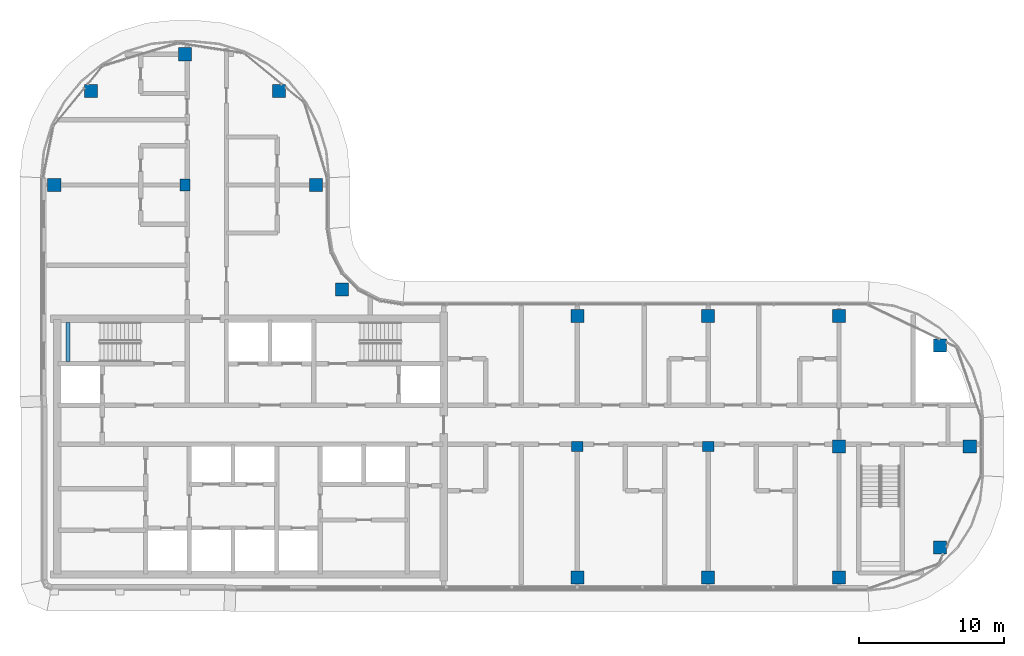
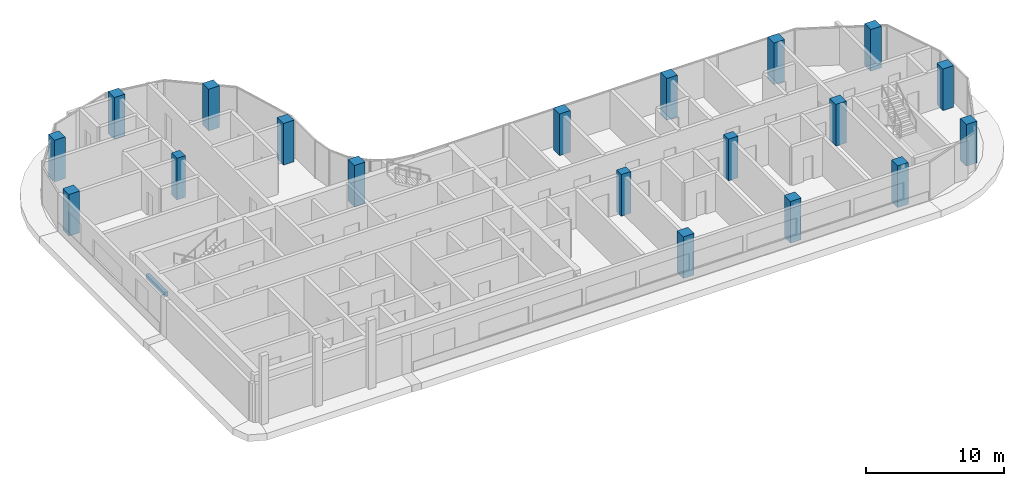
# One storey, part 1 of 22: 19 columns, 1 beam.
"""IFC4 building model written with IfcOpenShell, lengths in metres."""

from ifc_helpers import new_model, si_unit, direction, frame, origin, origin_2d, place, context, subcontext, project, spatial, rectangle, extrude, material, material_profile, profile_set, type_object, element, save


model = new_model("IFC4")

# Units and contexts
model_context = context("Model", 3, precision=1e-05, world=origin(), true_north=direction((0.0, 1.0)))
body_context = subcontext(model_context, "Body", "Model", "MODEL_VIEW")
ifc_project = project(units=[si_unit("LENGTHUNIT", "METRE"), si_unit("AREAUNIT", "SQUARE_METRE"), si_unit("VOLUMEUNIT", "CUBIC_METRE"), si_unit("PLANEANGLEUNIT", "RADIAN"), si_unit("MASSUNIT", "GRAM", prefix="KILO")], contexts=[model_context])

# Site, building, storey
site_placement = place(None, origin())
site = spatial("IfcSite", under=ifc_project, at=site_placement, CompositionType="ELEMENT")
building_placement = place(site_placement, origin())
building = spatial("IfcBuilding", under=site, at=building_placement, Name="Ogive Portal Towers", CompositionType="ELEMENT")
storey_placement = place(building_placement, frame((0.0, 0.0, 206.89990234375)))
storey = spatial("IfcBuildingStorey", under=building, at=storey_placement, Name="L51", CompositionType="ELEMENT", Elevation=206.89990234375)

# Columns
ifc_material_1 = material(Name="Concrete C60/75", Category="concrete")
ifc_material_profile_1 = material_profile(ifc_material_1, rectangle(XDim=0.800048828125, YDim=0.699951171875, at=origin_2d()), Name="RC 800x700")
ifc_profile_set_1 = profile_set([ifc_material_profile_1], Name="Concrete C60/75")
column_type_1 = type_object("IfcColumnType", Name="COLUMN RC 800x700", PredefinedType="COLUMN", material=ifc_profile_set_1)
for number, where, z_axis, x_axis, name in (
    (1, (67.5, 30.5, 0.0), (0.0, 0.0, 1.0), (1.0, 0.0, 0.0), "Column 5/B L51"),
    (2, (76.5, 30.5, 0.0), (0.0, 0.0, 1.0), (1.0, 0.0, 0.0), "Column 6/B L51"),
    (3, (40.5, 48.5, 0.0), (0.0, 0.0, 1.0), (0.0, 1.0, 0.0), "Column 2/D L51"),
):
    element("IfcColumn", number, at=place(storey_placement, frame(where, z_axis=z_axis, x_axis=x_axis)), inside=storey, type_object=column_type_1, Name=name, PredefinedType="COLUMN", context=body_context, shape_type="SweptSolid", body=[
        extrude(rectangle(XDim=0.800048828125, YDim=0.699951171875, at=origin_2d()), origin(), (0.0, 0.0, 1.0), 3.7001953125),
    ])
ifc_material_profile_2 = material_profile(ifc_material_1, rectangle(XDim=0.89990234375, YDim=0.89990234375, at=origin_2d()), Name="RC 900x900")
ifc_profile_set_2 = profile_set([ifc_material_profile_2], Name="Concrete C60/75")
column_type_2 = type_object("IfcColumnType", Name="COLUMN RC 900x900", PredefinedType="COLUMN", material=ifc_profile_set_2)
for number, where, z_axis, x_axis, name in (
    (4, (67.5, 21.5, 0.0), (0.0, 0.0, 1.0), (1.0, 0.0, 0.0), "Column 5/A L51"),
    (5, (76.5, 21.5, 0.0), (0.0, 0.0, 1.0), (1.0, 0.0, 0.0), "Column 6/A L51"),
    (6, (85.5, 21.5, 0.0), (0.0, 0.0, 1.0), (1.0, 0.0, 0.0), "Column 7/A L51"),
    (7, (92.449951171875, 23.550048828125, 0.0), (0.0, 0.0, 1.0), (1.0, 0.0, 0.0), "Column L51"),
    (8, (85.5, 30.5, 0.0), (0.0, 0.0, 1.0), (1.0, 0.0, 0.0), "Column 7/B L51"),
    (9, (94.5, 30.5, 0.0), (0.0, 0.0, 1.0), (1.0, 0.0, 0.0), "Column 8/B L51"),
    (10, (92.449951171875, 37.449951171875, 0.0), (0.0, 0.0, 1.0), (1.0, 0.0, 0.0), "Column L51"),
    (11, (67.5, 39.5, 0.0), (0.0, 0.0, 1.0), (1.0, 0.0, 0.0), "Column 5/C L51"),
    (12, (76.5, 39.5, 0.0), (0.0, 0.0, 1.0), (1.0, 0.0, 0.0), "Column 6/C L51"),
    (13, (85.5, 39.5, 0.0), (0.0, 0.0, 1.0), (1.0, 0.0, 0.0), "Column 7/C L51"),
    (14, (51.31005859375, 41.31005859375, 0.0), (0.0, 0.0, 1.0), (1.0, 0.0, 0.0), "Column L51"),
    (15, (31.5, 48.5, 0.0), (0.0, 0.0, 1.0), (1.0, 0.0, 0.0), "Column 1/D L51"),
    (16, (49.5, 48.5, 0.0), (0.0, 0.0, 1.0), (1.0, 0.0, 0.0), "Column 3/D L51"),
    (17, (34.027099609375, 54.972900390625, 0.0), (0.0, 0.0, 1.0), (1.0, 0.0, 0.0), "Column L51"),
    (18, (46.972900390625, 54.972900390625, 0.0), (0.0, 0.0, 1.0), (1.0, 0.0, 0.0), "Column L51"),
    (19, (40.5, 57.5, 0.0), (0.0, 0.0, 1.0), (1.0, 0.0, 0.0), "Column 2/E L51"),
):
    element("IfcColumn", number, at=place(storey_placement, frame(where, z_axis=z_axis, x_axis=x_axis)), inside=storey, type_object=column_type_2, Name=name, PredefinedType="COLUMN", context=body_context, shape_type="SweptSolid", body=[
        extrude(rectangle(XDim=0.89990234375, YDim=0.89990234375, at=origin_2d()), origin(), (0.0, 0.0, 1.0), 3.7001953125),
    ])

# Beam
ifc_material_2 = material(Name="Concrete C40/50", Category="concrete")
ifc_material_profile_3 = material_profile(ifc_material_2, rectangle(XDim=0.300048828125, YDim=0.39990234375, at=origin_2d()), Name="RC 300x400")
ifc_profile_set_3 = profile_set([ifc_material_profile_3], Name="Concrete C40/50")
beam_type = type_object("IfcBeamType", Name="BEAM RC 300x400", PredefinedType="BEAM", material=ifc_profile_set_3)
beam_placement = place(storey_placement, frame((32.449951171875, 36.35009765625, 1.4501953125), z_axis=(0.0, 1.0, 0.0), x_axis=(-1.0, 0.0, 0.0)))
element("IfcBeam", 20, at=beam_placement, inside=storey, type_object=beam_type, Name="Landing beam L51", PredefinedType="BEAM", context=body_context, shape_type="SweptSolid", body=[
    extrude(rectangle(XDim=0.300048828125, YDim=0.39990234375, at=origin_2d()), origin(), (0.0, 0.0, 1.0), 2.699951171875),
])

save(model, "model.ifc")
